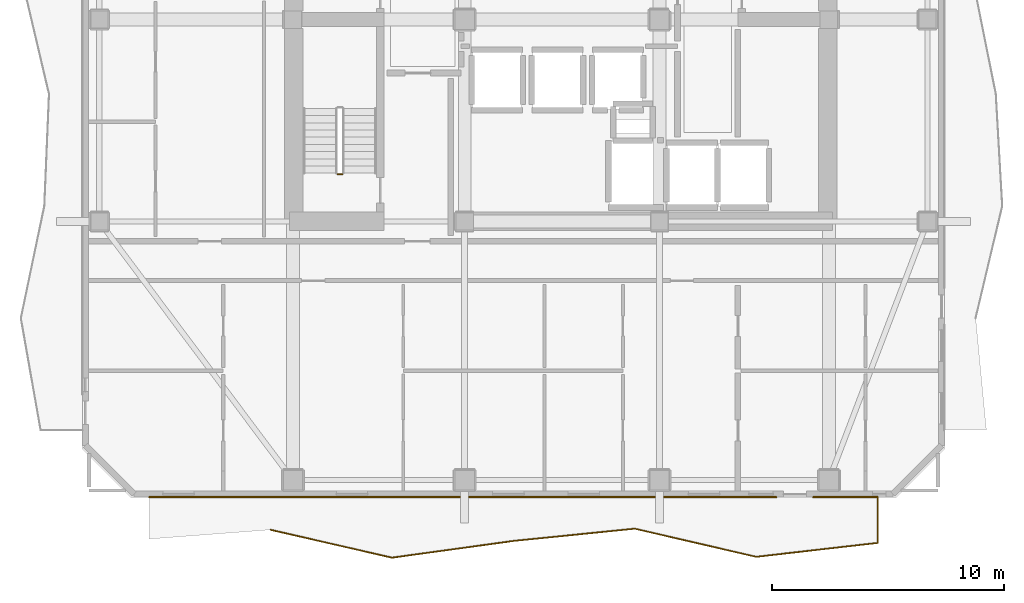
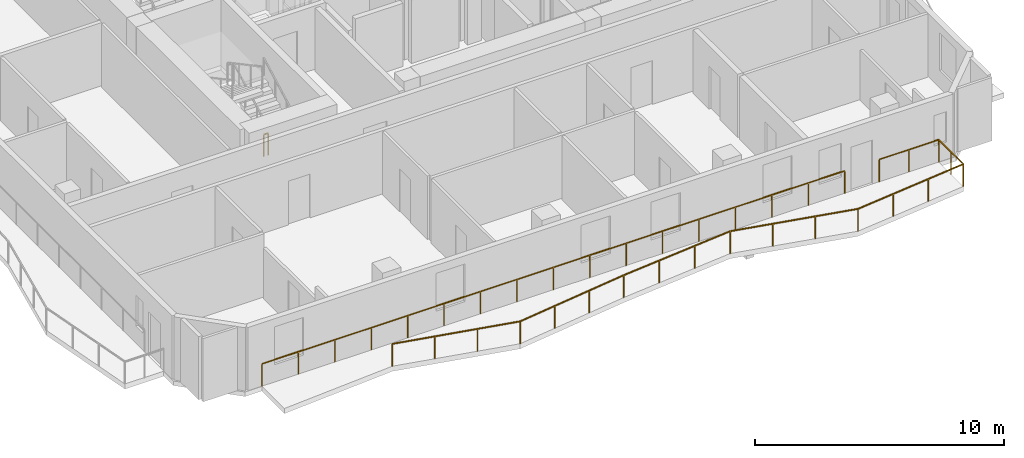
# One storey, part 7 of 10: 3 railings.
"""IFC4 building model written with IfcOpenShell, lengths in metres."""

from ifc_helpers import new_model, si_unit, direction, frame, origin, origin_2d, place, context, subcontext, project, spatial, rectangle, extrude, material, type_object, element, save


model = new_model("IFC4")

# Units and contexts
model_context = context("Model", 3, precision=1e-05, world=origin(), true_north=direction((0.0, 1.0)))
body_context = subcontext(model_context, "Body", "Model", "MODEL_VIEW")
ifc_project = project(units=[si_unit("LENGTHUNIT", "METRE"), si_unit("AREAUNIT", "SQUARE_METRE"), si_unit("VOLUMEUNIT", "CUBIC_METRE"), si_unit("PLANEANGLEUNIT", "RADIAN"), si_unit("MASSUNIT", "GRAM", prefix="KILO")], contexts=[model_context])

# Site, building, storey
site_placement = place(None, origin())
site = spatial("IfcSite", under=ifc_project, at=site_placement, CompositionType="ELEMENT")
building_placement = place(site_placement, origin())
building = spatial("IfcBuilding", under=site, at=building_placement, Name="Solanera Arch Residences", CompositionType="ELEMENT")
storey_placement = place(building_placement, frame((0.0, 0.0, 193.47998046875)))
storey = spatial("IfcBuildingStorey", under=building, at=storey_placement, Name="L56", CompositionType="ELEMENT", Elevation=193.47998046875)

# Railings
ifc_material_1 = material(Name="Steel S355 (ASTM A992 / A572 Grade 50)", Category="steel")
railing_type_1 = type_object("IfcRailingType", Name="Balustrade Railing BL-1100", PredefinedType="BALUSTRADE", material=ifc_material_1)
railing_1_placement = place(storey_placement, frame((12.43310546875, 8.7060546875, 0.0)))
element("IfcRailing", 1, at=railing_1_placement, inside=storey, type_object=railing_type_1, Name="L56 S Balcony Balustrade 1", PredefinedType="BALUSTRADE", context=body_context, shape_type="SweptSolid", body=[
    extrude(rectangle(XDim=0.048095703125, YDim=0.048095703125, at=origin_2d()), frame((0.0, 0.0, 1.09619140625), z_axis=(0.974622078057, -0.223856661645, 0.0), x_axis=(0.223856661645, 0.974622078057, 0.0)), (0.0, 0.0, 1.0), 5.3701171875),
    extrude(rectangle(XDim=0.048095703125, YDim=0.048095703125, at=origin_2d()), frame((5.23388671875, -1.2021484375, 1.09619140625), z_axis=(0.990636223585, 0.136527918469, 0.0), x_axis=(-0.136527918469, 0.990636223585, 0.0)), (0.0, 0.0, 1.0), 5.282470703125),
    extrude(rectangle(XDim=0.048095703125, YDim=0.048095703125, at=origin_2d()), frame((10.466796875, -0.48095703125, 1.09619140625), z_axis=(0.994914661907, 0.100721474987, 0.0), x_axis=(-0.100721474987, 0.994914661907, 0.0)), (0.0, 0.0, 1.0), 5.260009765625),
    extrude(rectangle(XDim=0.048095703125, YDim=0.048095703125, at=origin_2d()), frame((15.699951171875, 0.048828125, 1.09619140625), z_axis=(0.974144008053, -0.225927978731, 0.0), x_axis=(0.225927978731, 0.974144008053, 0.0)), (0.0, 0.0, 1.0), 5.372802734375),
    extrude(rectangle(XDim=0.048095703125, YDim=0.048095703125, at=origin_2d()), frame((20.933837890625, -1.1650390625, 1.09619140625), z_axis=(0.993489276601, 0.113925665588, 0.0), x_axis=(-0.113925665588, 0.993489276601, 0.0)), (0.0, 0.0, 1.0), 5.267333984375),
    extrude(rectangle(XDim=0.048095703125, YDim=0.048095703125, at=origin_2d()), frame((26.1669921875, -0.56494140625, 1.09619140625), z_axis=(0.0, 1.0, 0.0), x_axis=(-1.0, 0.0, 0.0)), (0.0, 0.0, 1.0), 1.97900390625),
    extrude(rectangle(XDim=0.048095703125, YDim=0.048095703125, at=origin_2d()), frame((26.1669921875, 1.4140625, 1.09619140625), z_axis=(-1.0, 0.0, 0.0), x_axis=(0.0, -1.0, 0.0)), (0.0, 0.0, 1.0), 2.76611328125),
    extrude(rectangle(XDim=0.0419921875, YDim=0.0419921875, at=origin_2d()), origin(), (0.0, 0.0, 1.0), 1.072021484375),
    extrude(rectangle(XDim=0.0419921875, YDim=0.0419921875, at=origin_2d()), frame((1.74462890625, -0.400634765625, 0.0)), (0.0, 0.0, 1.0), 1.072021484375),
    extrude(rectangle(XDim=0.0419921875, YDim=0.0419921875, at=origin_2d()), frame((3.4892578125, -0.801513671875, 0.0)), (0.0, 0.0, 1.0), 1.072021484375),
    extrude(rectangle(XDim=0.0419921875, YDim=0.0419921875, at=origin_2d()), frame((5.23388671875, -1.2021484375, 0.0)), (0.0, 0.0, 1.0), 1.072021484375),
    extrude(rectangle(XDim=0.0419921875, YDim=0.0419921875, at=origin_2d()), frame((6.978271484375, -0.961669921875, 0.0)), (0.0, 0.0, 1.0), 1.072021484375),
    extrude(rectangle(XDim=0.0419921875, YDim=0.0419921875, at=origin_2d()), frame((8.722412109375, -0.721435546875, 0.0)), (0.0, 0.0, 1.0), 1.072021484375),
    extrude(rectangle(XDim=0.0419921875, YDim=0.0419921875, at=origin_2d()), frame((10.466796875, -0.48095703125, 0.0)), (0.0, 0.0, 1.0), 1.072021484375),
    extrude(rectangle(XDim=0.0419921875, YDim=0.0419921875, at=origin_2d()), frame((12.211181640625, -0.304443359375, 0.0)), (0.0, 0.0, 1.0), 1.072021484375),
    extrude(rectangle(XDim=0.0419921875, YDim=0.0419921875, at=origin_2d()), frame((13.95556640625, -0.127685546875, 0.0)), (0.0, 0.0, 1.0), 1.072021484375),
    extrude(rectangle(XDim=0.0419921875, YDim=0.0419921875, at=origin_2d()), frame((15.699951171875, 0.048828125, 0.0)), (0.0, 0.0, 1.0), 1.072021484375),
    extrude(rectangle(XDim=0.0419921875, YDim=0.0419921875, at=origin_2d()), frame((17.444580078125, -0.355712890625, 0.0)), (0.0, 0.0, 1.0), 1.072021484375),
    extrude(rectangle(XDim=0.0419921875, YDim=0.0419921875, at=origin_2d()), frame((19.189208984375, -0.760498046875, 0.0)), (0.0, 0.0, 1.0), 1.072021484375),
    extrude(rectangle(XDim=0.0419921875, YDim=0.0419921875, at=origin_2d()), frame((20.933837890625, -1.1650390625, 0.0)), (0.0, 0.0, 1.0), 1.072021484375),
    extrude(rectangle(XDim=0.0419921875, YDim=0.0419921875, at=origin_2d()), frame((22.67822265625, -0.965087890625, 0.0)), (0.0, 0.0, 1.0), 1.072021484375),
    extrude(rectangle(XDim=0.0419921875, YDim=0.0419921875, at=origin_2d()), frame((24.422607421875, -0.764892578125, 0.0)), (0.0, 0.0, 1.0), 1.072021484375),
    extrude(rectangle(XDim=0.0419921875, YDim=0.0419921875, at=origin_2d()), frame((26.1669921875, -0.56494140625, 0.0)), (0.0, 0.0, 1.0), 1.072021484375),
    extrude(rectangle(XDim=0.0419921875, YDim=0.0419921875, at=origin_2d()), frame((26.1669921875, 0.424560546875, 0.0)), (0.0, 0.0, 1.0), 1.072021484375),
    extrude(rectangle(XDim=0.0419921875, YDim=0.0419921875, at=origin_2d()), frame((26.1669921875, 1.4140625, 0.0)), (0.0, 0.0, 1.0), 1.072021484375),
    extrude(rectangle(XDim=0.0419921875, YDim=0.0419921875, at=origin_2d()), frame((24.783935546875, 1.4140625, 0.0)), (0.0, 0.0, 1.0), 1.072021484375),
    extrude(rectangle(XDim=0.0419921875, YDim=0.0419921875, at=origin_2d()), frame((23.40087890625, 1.4140625, 0.0)), (0.0, 0.0, 1.0), 1.072021484375),
])
railing_2_placement = place(storey_placement, frame((34.23388671875, 10.1201171875, 0.0)))
element("IfcRailing", 2, at=railing_2_placement, inside=storey, type_object=railing_type_1, Name="L56 S Balcony Balustrade 2", PredefinedType="BALUSTRADE", context=body_context, shape_type="SweptSolid", body=[
    extrude(rectangle(XDim=0.048095703125, YDim=0.048095703125, at=origin_2d()), frame((0.0, 0.0, 1.09619140625), z_axis=(-1.0, 0.0, 0.0), x_axis=(0.0, -1.0, 0.0)), (0.0, 0.0, 1.0), 27.033935546875),
    extrude(rectangle(XDim=0.0419921875, YDim=0.0419921875, at=origin_2d()), origin(), (0.0, 0.0, 1.0), 1.072021484375),
    extrude(rectangle(XDim=0.0419921875, YDim=0.0419921875, at=origin_2d()), frame((-1.689697265625, 0.0, 0.0)), (0.0, 0.0, 1.0), 1.072021484375),
    extrude(rectangle(XDim=0.0419921875, YDim=0.0419921875, at=origin_2d()), frame((-3.379150390625, 0.0, 0.0)), (0.0, 0.0, 1.0), 1.072021484375),
    extrude(rectangle(XDim=0.0419921875, YDim=0.0419921875, at=origin_2d()), frame((-5.06884765625, 0.0, 0.0)), (0.0, 0.0, 1.0), 1.072021484375),
    extrude(rectangle(XDim=0.0419921875, YDim=0.0419921875, at=origin_2d()), frame((-6.758544921875, 0.0, 0.0)), (0.0, 0.0, 1.0), 1.072021484375),
    extrude(rectangle(XDim=0.0419921875, YDim=0.0419921875, at=origin_2d()), frame((-8.447998046875, 0.0, 0.0)), (0.0, 0.0, 1.0), 1.072021484375),
    extrude(rectangle(XDim=0.0419921875, YDim=0.0419921875, at=origin_2d()), frame((-10.1376953125, 0.0, 0.0)), (0.0, 0.0, 1.0), 1.072021484375),
    extrude(rectangle(XDim=0.0419921875, YDim=0.0419921875, at=origin_2d()), frame((-11.827392578125, 0.0, 0.0)), (0.0, 0.0, 1.0), 1.072021484375),
    extrude(rectangle(XDim=0.0419921875, YDim=0.0419921875, at=origin_2d()), frame((-13.51708984375, 0.0, 0.0)), (0.0, 0.0, 1.0), 1.072021484375),
    extrude(rectangle(XDim=0.0419921875, YDim=0.0419921875, at=origin_2d()), frame((-15.20654296875, 0.0, 0.0)), (0.0, 0.0, 1.0), 1.072021484375),
    extrude(rectangle(XDim=0.0419921875, YDim=0.0419921875, at=origin_2d()), frame((-16.896240234375, 0.0, 0.0)), (0.0, 0.0, 1.0), 1.072021484375),
    extrude(rectangle(XDim=0.0419921875, YDim=0.0419921875, at=origin_2d()), frame((-18.5859375, 0.0, 0.0)), (0.0, 0.0, 1.0), 1.072021484375),
    extrude(rectangle(XDim=0.0419921875, YDim=0.0419921875, at=origin_2d()), frame((-20.275390625, 0.0, 0.0)), (0.0, 0.0, 1.0), 1.072021484375),
    extrude(rectangle(XDim=0.0419921875, YDim=0.0419921875, at=origin_2d()), frame((-21.965087890625, 0.0, 0.0)), (0.0, 0.0, 1.0), 1.072021484375),
    extrude(rectangle(XDim=0.0419921875, YDim=0.0419921875, at=origin_2d()), frame((-23.65478515625, 0.0, 0.0)), (0.0, 0.0, 1.0), 1.072021484375),
    extrude(rectangle(XDim=0.0419921875, YDim=0.0419921875, at=origin_2d()), frame((-25.34423828125, 0.0, 0.0)), (0.0, 0.0, 1.0), 1.072021484375),
    extrude(rectangle(XDim=0.0419921875, YDim=0.0419921875, at=origin_2d()), frame((-27.033935546875, 0.0, 0.0)), (0.0, 0.0, 1.0), 1.072021484375),
])
ifc_material_2 = material(Name="Steel S355 (ASTM A992 / A572 Grade 50)", Category="steel")
railing_type_2 = type_object("IfcRailingType", Name="Stair Guardrail GR-1100", PredefinedType="GUARDRAIL", material=ifc_material_2)
railing_3_placement = place(storey_placement, frame((15.52001953125, 24.030029296875, -0.014892578125)))
element("IfcRailing", 3, at=railing_3_placement, inside=storey, type_object=railing_type_2, Name="L56 ST-T3 stair guard 4", PredefinedType="GUARDRAIL", context=body_context, shape_type="SweptSolid", body=[
    extrude(rectangle(XDim=0.048095703125, YDim=0.048095703125, at=origin_2d()), frame((0.0, 0.0, 1.076171875), z_axis=(-1.0, 0.0, 0.0), x_axis=(0.0, -1.0, 0.0)), (0.0, 0.0, 1.0), 0.199951171875),
    extrude(rectangle(XDim=0.0419921875, YDim=0.0419921875, at=origin_2d()), origin(), (0.0, 0.0, 1.0), 1.052001953125),
    extrude(rectangle(XDim=0.0419921875, YDim=0.0419921875, at=origin_2d()), frame((-0.199951171875, 0.0, 0.0)), (0.0, 0.0, 1.0), 1.052001953125),
])

save(model, "model.ifc")
